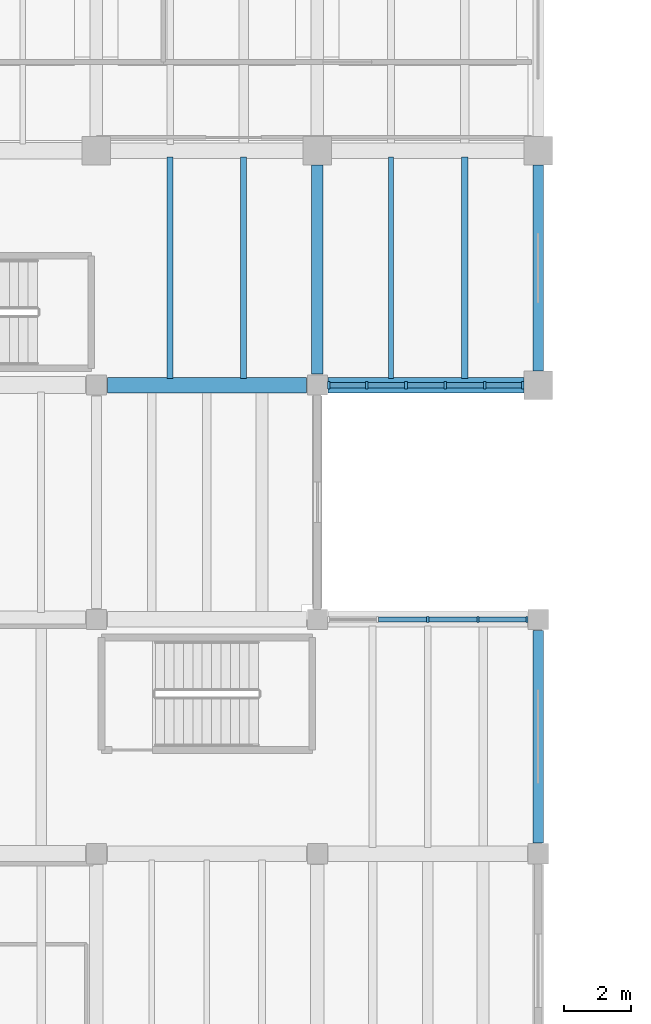
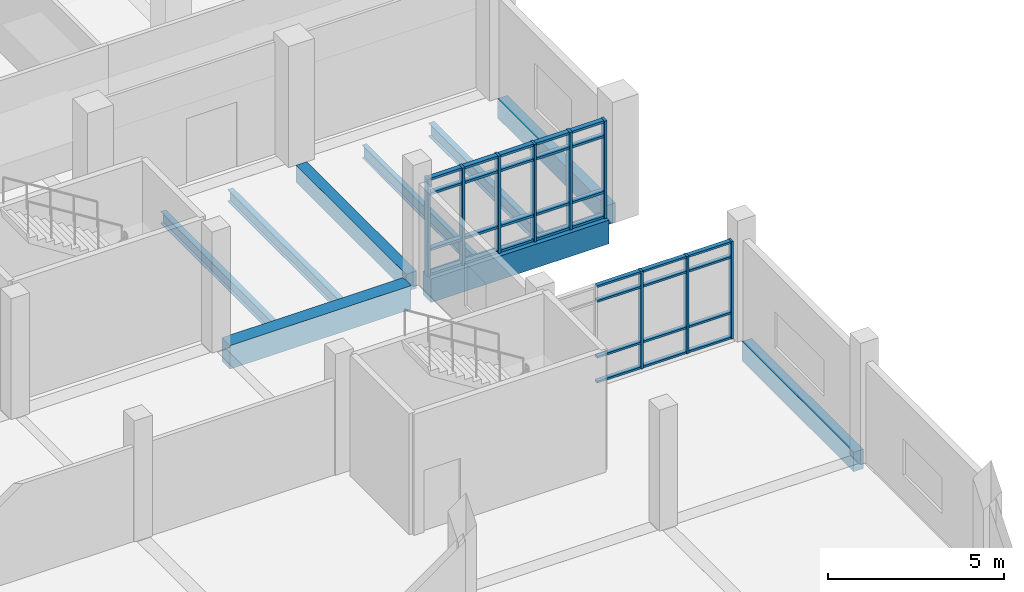
# One storey, part 28 of 68: 41 members, 9 beams, 2 elements without a shape of their own.
"""IFC4 building model written with IfcOpenShell, lengths in metres."""

from ifc_helpers import new_model, si_unit, direction, frame, origin, origin_2d, place, context, subcontext, project, spatial, rectangle, i_section, extrude, material, material_profile, profile_set, type_object, element, aggregate, save


model = new_model("IFC4")

# Units and contexts
model_context = context("Model", 3, precision=1e-05, world=origin(), true_north=direction((0.0, 1.0)))
body_context = subcontext(model_context, "Body", "Model", "MODEL_VIEW")
ifc_project = project(units=[si_unit("LENGTHUNIT", "METRE"), si_unit("AREAUNIT", "SQUARE_METRE"), si_unit("VOLUMEUNIT", "CUBIC_METRE"), si_unit("PLANEANGLEUNIT", "RADIAN"), si_unit("MASSUNIT", "GRAM", prefix="KILO")], contexts=[model_context])

# Site, building, storey
site_placement = place(None, origin())
site = spatial("IfcSite", under=ifc_project, at=site_placement, CompositionType="ELEMENT")
building_placement = place(site_placement, origin())
building = spatial("IfcBuilding", under=site, at=building_placement, Name="Ciguamira Faculty of Natural Sciences", CompositionType="ELEMENT")
storey_placement = place(building_placement, frame((0.0, 0.0, 4.199951171875)))
storey = spatial("IfcBuildingStorey", under=building, at=storey_placement, Name="L01", CompositionType="ELEMENT", Elevation=4.199951171875)

# Curtain wall, members
ifc_material_1 = material(Name="Anodized aluminium curtain wall", Category="aluminium")
curtain_wall_type_1 = type_object("IfcCurtainWallType", Name="CurtainWall_CW-08", PredefinedType="USERDEFINED", material=ifc_material_1)
curtain_wall_1_placement = place(storey_placement, origin())
curtain_wall_1 = element("IfcCurtainWall", 1, at=curtain_wall_1_placement, inside=storey, type_object=curtain_wall_type_1, Name="L01 unitised curtain wall 0044", ObjectType="UNITISED CURTAIN WALL", PredefinedType="USERDEFINED")
ifc_material_2 = material(Name="Anodized aluminium mullion", Category="aluminium")
ifc_material_profile_1 = material_profile(ifc_material_2, rectangle(XDim=0.070068359375, YDim=0.179931640625, at=origin_2d()), Name="ALU-MUL-70X180")
ifc_profile_set_1 = profile_set([ifc_material_profile_1], Name="Anodized aluminium mullion")
member_type_1 = type_object("IfcMemberType", Name="CWMullion_CWM-02", PredefinedType="MULLION", material=ifc_profile_set_1)
member_1_placement = place(storey_placement, frame((113.39990234375, 87.0, 0.0), z_axis=(0.0, 0.0, 1.0), x_axis=(1.0, 0.0, 0.0)))
member_1 = element("IfcMember", 2, at=member_1_placement, type_object=member_type_1, Name="CW-08 mullion 3", PredefinedType="MULLION", context=body_context, shape_type="SweptSolid", body=[
    extrude(rectangle(XDim=0.070068359375, YDim=0.179931640625, at=origin_2d()), origin(), (0.0, 0.0, 1.0), 3.385009765625),
])
member_2_placement = place(storey_placement, frame((114.89990234375, 87.0, 0.0), z_axis=(0.0, 0.0, 1.0), x_axis=(1.0, 0.0, 0.0)))
member_2 = element("IfcMember", 3, at=member_2_placement, type_object=member_type_1, Name="CW-08 mullion 4", PredefinedType="MULLION", context=body_context, shape_type="SweptSolid", body=[
    extrude(rectangle(XDim=0.070068359375, YDim=0.179931640625, at=origin_2d()), origin(), (0.0, 0.0, 1.0), 3.385009765625),
])
member_3_placement = place(storey_placement, frame((116.364990234375, 87.0, 0.0), z_axis=(0.0, 0.0, 1.0), x_axis=(1.0, 0.0, 0.0)))
member_3 = element("IfcMember", 4, at=member_3_placement, type_object=member_type_1, Name="CW-08 mullion 5", PredefinedType="MULLION", context=body_context, shape_type="SweptSolid", body=[
    extrude(rectangle(XDim=0.070068359375, YDim=0.179931640625, at=origin_2d()), origin(), (0.0, 0.0, 1.0), 3.385009765625),
])

curtain_wall_type_2 = type_object("IfcCurtainWallType", Name="CurtainWall_CW-09", PredefinedType="USERDEFINED", material=ifc_material_1)
curtain_wall_2_placement = place(storey_placement, origin())
curtain_wall_2 = element("IfcCurtainWall", 5, at=curtain_wall_2_placement, inside=storey, type_object=curtain_wall_type_2, Name="L01 unitised curtain wall 0045", ObjectType="UNITISED CURTAIN WALL", PredefinedType="USERDEFINED")
ifc_material_profile_2 = material_profile(ifc_material_2, rectangle(XDim=0.080078125, YDim=0.219970703125, at=origin_2d()), Name="ALU-MUL-80X220")
ifc_profile_set_2 = profile_set([ifc_material_profile_2], Name="Anodized aluminium mullion")
member_type_2 = type_object("IfcMemberType", Name="CWMullion_CWM-03", PredefinedType="MULLION", material=ifc_profile_set_2)
member_4_placement = place(storey_placement, frame((110.43994140625, 94.0, 0.0), z_axis=(0.0, 0.0, 1.0), x_axis=(1.0, 0.0, 0.0)))
member_4 = element("IfcMember", 6, at=member_4_placement, type_object=member_type_2, Name="CW-09 mullion 1", PredefinedType="MULLION", context=body_context, shape_type="SweptSolid", body=[
    extrude(rectangle(XDim=0.080078125, YDim=0.219970703125, at=origin_2d()), origin(), (0.0, 0.0, 1.0), 3.385009765625),
])
member_5_placement = place(storey_placement, frame((111.574951171875, 94.0, 0.0), z_axis=(0.0, 0.0, 1.0), x_axis=(1.0, 0.0, 0.0)))
member_5 = element("IfcMember", 7, at=member_5_placement, type_object=member_type_2, Name="CW-09 mullion 2", PredefinedType="MULLION", context=body_context, shape_type="SweptSolid", body=[
    extrude(rectangle(XDim=0.080078125, YDim=0.219970703125, at=origin_2d()), origin(), (0.0, 0.0, 1.0), 3.385009765625),
])
member_6_placement = place(storey_placement, frame((112.75, 94.0, 0.0), z_axis=(0.0, 0.0, 1.0), x_axis=(1.0, 0.0, 0.0)))
member_6 = element("IfcMember", 8, at=member_6_placement, type_object=member_type_2, Name="CW-09 mullion 3", PredefinedType="MULLION", context=body_context, shape_type="SweptSolid", body=[
    extrude(rectangle(XDim=0.080078125, YDim=0.219970703125, at=origin_2d()), origin(), (0.0, 0.0, 1.0), 3.385009765625),
])
member_7_placement = place(storey_placement, frame((113.925048828125, 94.0, 0.0), z_axis=(0.0, 0.0, 1.0), x_axis=(1.0, 0.0, 0.0)))
member_7 = element("IfcMember", 9, at=member_7_placement, type_object=member_type_2, Name="CW-09 mullion 4", PredefinedType="MULLION", context=body_context, shape_type="SweptSolid", body=[
    extrude(rectangle(XDim=0.080078125, YDim=0.219970703125, at=origin_2d()), origin(), (0.0, 0.0, 1.0), 3.385009765625),
])
member_8_placement = place(storey_placement, frame((115.10009765625, 94.0, 0.0), z_axis=(0.0, 0.0, 1.0), x_axis=(1.0, 0.0, 0.0)))
member_8 = element("IfcMember", 10, at=member_8_placement, type_object=member_type_2, Name="CW-09 mullion 5", PredefinedType="MULLION", context=body_context, shape_type="SweptSolid", body=[
    extrude(rectangle(XDim=0.080078125, YDim=0.219970703125, at=origin_2d()), origin(), (0.0, 0.0, 1.0), 3.385009765625),
])
member_9_placement = place(storey_placement, frame((116.235107421875, 94.0, 0.0), z_axis=(0.0, 0.0, 1.0), x_axis=(1.0, 0.0, 0.0)))
member_9 = element("IfcMember", 11, at=member_9_placement, type_object=member_type_2, Name="CW-09 mullion 6", PredefinedType="MULLION", context=body_context, shape_type="SweptSolid", body=[
    extrude(rectangle(XDim=0.080078125, YDim=0.219970703125, at=origin_2d()), origin(), (0.0, 0.0, 1.0), 3.385009765625),
])

# Member
ifc_material_3 = material(Name="Anodized aluminium transom", Category="aluminium")
ifc_material_profile_3 = material_profile(ifc_material_3, rectangle(XDim=0.070068359375, YDim=0.139892578125, at=origin_2d()), Name="ALU-TRN-70X140")
ifc_profile_set_3 = profile_set([ifc_material_profile_3], Name="Anodized aluminium transom")
member_type_3 = type_object("IfcMemberType", Name="CWTransom_CWT-02", PredefinedType="USERDEFINED", material=ifc_profile_set_3)
member_10_placement = place(storey_placement, frame((111.93505859375, 87.0, 0.03515625), z_axis=(1.0, 0.0, 0.0), x_axis=(0.0, 0.0, 1.0)))
member_10 = element("IfcMember", 12, at=member_10_placement, type_object=member_type_3, Name="CW-08 transom 2.1", ObjectType="TRANSOM", PredefinedType="USERDEFINED", context=body_context, shape_type="SweptSolid", body=[
    extrude(rectangle(XDim=0.070068359375, YDim=0.139892578125, at=origin_2d()), origin(), (0.0, 0.0, 1.0), 1.429931640625),
])

member_11_placement = place(storey_placement, frame((111.93505859375, 87.0, 0.900146484375), z_axis=(1.0, 0.0, 0.0), x_axis=(0.0, 0.0, 1.0)))
member_11 = element("IfcMember", 13, at=member_11_placement, type_object=member_type_3, Name="CW-08 transom 2.2", ObjectType="TRANSOM", PredefinedType="USERDEFINED", context=body_context, shape_type="SweptSolid", body=[
    extrude(rectangle(XDim=0.070068359375, YDim=0.139892578125, at=origin_2d()), origin(), (0.0, 0.0, 1.0), 1.429931640625),
])

member_12_placement = place(storey_placement, frame((111.93505859375, 87.0, 2.8349609375), z_axis=(1.0, 0.0, 0.0), x_axis=(0.0, 0.0, 1.0)))
member_12 = element("IfcMember", 14, at=member_12_placement, type_object=member_type_3, Name="CW-08 transom 2.3", ObjectType="TRANSOM", PredefinedType="USERDEFINED", context=body_context, shape_type="SweptSolid", body=[
    extrude(rectangle(XDim=0.070068359375, YDim=0.139892578125, at=origin_2d()), origin(), (0.0, 0.0, 1.0), 1.429931640625),
])

member_13_placement = place(storey_placement, frame((111.93505859375, 87.0, 3.35009765625), z_axis=(1.0, 0.0, 0.0), x_axis=(0.0, 0.0, 1.0)))
member_13 = element("IfcMember", 15, at=member_13_placement, type_object=member_type_3, Name="CW-08 transom 2.4", ObjectType="TRANSOM", PredefinedType="USERDEFINED", context=body_context, shape_type="SweptSolid", body=[
    extrude(rectangle(XDim=0.070068359375, YDim=0.139892578125, at=origin_2d()), origin(), (0.0, 0.0, 1.0), 1.429931640625),
])

member_14_placement = place(storey_placement, frame((113.43505859375, 87.0, 0.03515625), z_axis=(1.0, 0.0, 0.0), x_axis=(0.0, 0.0, 1.0)))
member_14 = element("IfcMember", 16, at=member_14_placement, type_object=member_type_3, Name="CW-08 transom 3.1", ObjectType="TRANSOM", PredefinedType="USERDEFINED", context=body_context, shape_type="SweptSolid", body=[
    extrude(rectangle(XDim=0.070068359375, YDim=0.139892578125, at=origin_2d()), origin(), (0.0, 0.0, 1.0), 1.429931640625),
])

member_15_placement = place(storey_placement, frame((113.43505859375, 87.0, 0.900146484375), z_axis=(1.0, 0.0, 0.0), x_axis=(0.0, 0.0, 1.0)))
member_15 = element("IfcMember", 17, at=member_15_placement, type_object=member_type_3, Name="CW-08 transom 3.2", ObjectType="TRANSOM", PredefinedType="USERDEFINED", context=body_context, shape_type="SweptSolid", body=[
    extrude(rectangle(XDim=0.070068359375, YDim=0.139892578125, at=origin_2d()), origin(), (0.0, 0.0, 1.0), 1.429931640625),
])

member_16_placement = place(storey_placement, frame((113.43505859375, 87.0, 2.8349609375), z_axis=(1.0, 0.0, 0.0), x_axis=(0.0, 0.0, 1.0)))
member_16 = element("IfcMember", 18, at=member_16_placement, type_object=member_type_3, Name="CW-08 transom 3.3", ObjectType="TRANSOM", PredefinedType="USERDEFINED", context=body_context, shape_type="SweptSolid", body=[
    extrude(rectangle(XDim=0.070068359375, YDim=0.139892578125, at=origin_2d()), origin(), (0.0, 0.0, 1.0), 1.429931640625),
])

member_17_placement = place(storey_placement, frame((113.43505859375, 87.0, 3.35009765625), z_axis=(1.0, 0.0, 0.0), x_axis=(0.0, 0.0, 1.0)))
member_17 = element("IfcMember", 19, at=member_17_placement, type_object=member_type_3, Name="CW-08 transom 3.4", ObjectType="TRANSOM", PredefinedType="USERDEFINED", context=body_context, shape_type="SweptSolid", body=[
    extrude(rectangle(XDim=0.070068359375, YDim=0.139892578125, at=origin_2d()), origin(), (0.0, 0.0, 1.0), 1.429931640625),
])

member_18_placement = place(storey_placement, frame((114.93505859375, 87.0, 0.03515625), z_axis=(1.0, 0.0, 0.0), x_axis=(0.0, 0.0, 1.0)))
member_18 = element("IfcMember", 20, at=member_18_placement, type_object=member_type_3, Name="CW-08 transom 4.1", ObjectType="TRANSOM", PredefinedType="USERDEFINED", context=body_context, shape_type="SweptSolid", body=[
    extrude(rectangle(XDim=0.070068359375, YDim=0.139892578125, at=origin_2d()), origin(), (0.0, 0.0, 1.0), 1.39501953125),
])

member_19_placement = place(storey_placement, frame((114.93505859375, 87.0, 0.900146484375), z_axis=(1.0, 0.0, 0.0), x_axis=(0.0, 0.0, 1.0)))
member_19 = element("IfcMember", 21, at=member_19_placement, type_object=member_type_3, Name="CW-08 transom 4.2", ObjectType="TRANSOM", PredefinedType="USERDEFINED", context=body_context, shape_type="SweptSolid", body=[
    extrude(rectangle(XDim=0.070068359375, YDim=0.139892578125, at=origin_2d()), origin(), (0.0, 0.0, 1.0), 1.39501953125),
])

member_20_placement = place(storey_placement, frame((114.93505859375, 87.0, 2.8349609375), z_axis=(1.0, 0.0, 0.0), x_axis=(0.0, 0.0, 1.0)))
member_20 = element("IfcMember", 22, at=member_20_placement, type_object=member_type_3, Name="CW-08 transom 4.3", ObjectType="TRANSOM", PredefinedType="USERDEFINED", context=body_context, shape_type="SweptSolid", body=[
    extrude(rectangle(XDim=0.070068359375, YDim=0.139892578125, at=origin_2d()), origin(), (0.0, 0.0, 1.0), 1.39501953125),
])

member_21_placement = place(storey_placement, frame((114.93505859375, 87.0, 3.35009765625), z_axis=(1.0, 0.0, 0.0), x_axis=(0.0, 0.0, 1.0)))
member_21 = element("IfcMember", 23, at=member_21_placement, type_object=member_type_3, Name="CW-08 transom 4.4", ObjectType="TRANSOM", PredefinedType="USERDEFINED", context=body_context, shape_type="SweptSolid", body=[
    extrude(rectangle(XDim=0.070068359375, YDim=0.139892578125, at=origin_2d()), origin(), (0.0, 0.0, 1.0), 1.39501953125),
])

aggregate(curtain_wall_1, [member_1, member_2, member_3, member_10, member_11, member_12, member_13, member_14, member_15, member_16, member_17, member_18, member_19, member_20, member_21])

ifc_material_profile_4 = material_profile(ifc_material_3, rectangle(XDim=0.080078125, YDim=0.159912109375, at=origin_2d()), Name="ALU-TRN-80X160")
ifc_profile_set_4 = profile_set([ifc_material_profile_4], Name="Anodized aluminium transom")
member_type_4 = type_object("IfcMemberType", Name="CWTransom_CWT-03", PredefinedType="USERDEFINED", material=ifc_profile_set_4)
member_22_placement = place(storey_placement, frame((110.47998046875, 94.0, 0.0400390625), z_axis=(1.0, 0.0, 0.0), x_axis=(0.0, 0.0, 1.0)))
member_22 = element("IfcMember", 24, at=member_22_placement, type_object=member_type_4, Name="CW-09 transom 1.1", ObjectType="TRANSOM", PredefinedType="USERDEFINED", context=body_context, shape_type="SweptSolid", body=[
    extrude(rectangle(XDim=0.080078125, YDim=0.159912109375, at=origin_2d()), origin(), (0.0, 0.0, 1.0), 1.054931640625),
])

member_23_placement = place(storey_placement, frame((110.47998046875, 94.0, 0.900146484375), z_axis=(1.0, 0.0, 0.0), x_axis=(0.0, 0.0, 1.0)))
member_23 = element("IfcMember", 25, at=member_23_placement, type_object=member_type_4, Name="CW-09 transom 1.2", ObjectType="TRANSOM", PredefinedType="USERDEFINED", context=body_context, shape_type="SweptSolid", body=[
    extrude(rectangle(XDim=0.080078125, YDim=0.159912109375, at=origin_2d()), origin(), (0.0, 0.0, 1.0), 1.054931640625),
])

member_24_placement = place(storey_placement, frame((110.47998046875, 94.0, 2.8349609375), z_axis=(1.0, 0.0, 0.0), x_axis=(0.0, 0.0, 1.0)))
member_24 = element("IfcMember", 26, at=member_24_placement, type_object=member_type_4, Name="CW-09 transom 1.3", ObjectType="TRANSOM", PredefinedType="USERDEFINED", context=body_context, shape_type="SweptSolid", body=[
    extrude(rectangle(XDim=0.080078125, YDim=0.159912109375, at=origin_2d()), origin(), (0.0, 0.0, 1.0), 1.054931640625),
])

member_25_placement = place(storey_placement, frame((110.47998046875, 94.0, 3.344970703125), z_axis=(1.0, 0.0, 0.0), x_axis=(0.0, 0.0, 1.0)))
member_25 = element("IfcMember", 27, at=member_25_placement, type_object=member_type_4, Name="CW-09 transom 1.4", ObjectType="TRANSOM", PredefinedType="USERDEFINED", context=body_context, shape_type="SweptSolid", body=[
    extrude(rectangle(XDim=0.080078125, YDim=0.159912109375, at=origin_2d()), origin(), (0.0, 0.0, 1.0), 1.054931640625),
])

member_26_placement = place(storey_placement, frame((111.614990234375, 94.0, 0.0400390625), z_axis=(1.0, 0.0, 0.0), x_axis=(0.0, 0.0, 1.0)))
member_26 = element("IfcMember", 28, at=member_26_placement, type_object=member_type_4, Name="CW-09 transom 2.1", ObjectType="TRANSOM", PredefinedType="USERDEFINED", context=body_context, shape_type="SweptSolid", body=[
    extrude(rectangle(XDim=0.080078125, YDim=0.159912109375, at=origin_2d()), origin(), (0.0, 0.0, 1.0), 1.094970703125),
])

member_27_placement = place(storey_placement, frame((111.614990234375, 94.0, 0.900146484375), z_axis=(1.0, 0.0, 0.0), x_axis=(0.0, 0.0, 1.0)))
member_27 = element("IfcMember", 29, at=member_27_placement, type_object=member_type_4, Name="CW-09 transom 2.2", ObjectType="TRANSOM", PredefinedType="USERDEFINED", context=body_context, shape_type="SweptSolid", body=[
    extrude(rectangle(XDim=0.080078125, YDim=0.159912109375, at=origin_2d()), origin(), (0.0, 0.0, 1.0), 1.094970703125),
])

member_28_placement = place(storey_placement, frame((111.614990234375, 94.0, 2.8349609375), z_axis=(1.0, 0.0, 0.0), x_axis=(0.0, 0.0, 1.0)))
member_28 = element("IfcMember", 30, at=member_28_placement, type_object=member_type_4, Name="CW-09 transom 2.3", ObjectType="TRANSOM", PredefinedType="USERDEFINED", context=body_context, shape_type="SweptSolid", body=[
    extrude(rectangle(XDim=0.080078125, YDim=0.159912109375, at=origin_2d()), origin(), (0.0, 0.0, 1.0), 1.094970703125),
])

member_29_placement = place(storey_placement, frame((111.614990234375, 94.0, 3.344970703125), z_axis=(1.0, 0.0, 0.0), x_axis=(0.0, 0.0, 1.0)))
member_29 = element("IfcMember", 31, at=member_29_placement, type_object=member_type_4, Name="CW-09 transom 2.4", ObjectType="TRANSOM", PredefinedType="USERDEFINED", context=body_context, shape_type="SweptSolid", body=[
    extrude(rectangle(XDim=0.080078125, YDim=0.159912109375, at=origin_2d()), origin(), (0.0, 0.0, 1.0), 1.094970703125),
])

member_30_placement = place(storey_placement, frame((112.7900390625, 94.0, 0.0400390625), z_axis=(1.0, 0.0, 0.0), x_axis=(0.0, 0.0, 1.0)))
member_30 = element("IfcMember", 32, at=member_30_placement, type_object=member_type_4, Name="CW-09 transom 3.1", ObjectType="TRANSOM", PredefinedType="USERDEFINED", context=body_context, shape_type="SweptSolid", body=[
    extrude(rectangle(XDim=0.080078125, YDim=0.159912109375, at=origin_2d()), origin(), (0.0, 0.0, 1.0), 1.094970703125),
])

member_31_placement = place(storey_placement, frame((112.7900390625, 94.0, 0.900146484375), z_axis=(1.0, 0.0, 0.0), x_axis=(0.0, 0.0, 1.0)))
member_31 = element("IfcMember", 33, at=member_31_placement, type_object=member_type_4, Name="CW-09 transom 3.2", ObjectType="TRANSOM", PredefinedType="USERDEFINED", context=body_context, shape_type="SweptSolid", body=[
    extrude(rectangle(XDim=0.080078125, YDim=0.159912109375, at=origin_2d()), origin(), (0.0, 0.0, 1.0), 1.094970703125),
])

member_32_placement = place(storey_placement, frame((112.7900390625, 94.0, 2.8349609375), z_axis=(1.0, 0.0, 0.0), x_axis=(0.0, 0.0, 1.0)))
member_32 = element("IfcMember", 34, at=member_32_placement, type_object=member_type_4, Name="CW-09 transom 3.3", ObjectType="TRANSOM", PredefinedType="USERDEFINED", context=body_context, shape_type="SweptSolid", body=[
    extrude(rectangle(XDim=0.080078125, YDim=0.159912109375, at=origin_2d()), origin(), (0.0, 0.0, 1.0), 1.094970703125),
])

member_33_placement = place(storey_placement, frame((112.7900390625, 94.0, 3.344970703125), z_axis=(1.0, 0.0, 0.0), x_axis=(0.0, 0.0, 1.0)))
member_33 = element("IfcMember", 35, at=member_33_placement, type_object=member_type_4, Name="CW-09 transom 3.4", ObjectType="TRANSOM", PredefinedType="USERDEFINED", context=body_context, shape_type="SweptSolid", body=[
    extrude(rectangle(XDim=0.080078125, YDim=0.159912109375, at=origin_2d()), origin(), (0.0, 0.0, 1.0), 1.094970703125),
])

member_34_placement = place(storey_placement, frame((113.965087890625, 94.0, 0.0400390625), z_axis=(1.0, 0.0, 0.0), x_axis=(0.0, 0.0, 1.0)))
member_34 = element("IfcMember", 36, at=member_34_placement, type_object=member_type_4, Name="CW-09 transom 4.1", ObjectType="TRANSOM", PredefinedType="USERDEFINED", context=body_context, shape_type="SweptSolid", body=[
    extrude(rectangle(XDim=0.080078125, YDim=0.159912109375, at=origin_2d()), origin(), (0.0, 0.0, 1.0), 1.094970703125),
])

member_35_placement = place(storey_placement, frame((113.965087890625, 94.0, 0.900146484375), z_axis=(1.0, 0.0, 0.0), x_axis=(0.0, 0.0, 1.0)))
member_35 = element("IfcMember", 37, at=member_35_placement, type_object=member_type_4, Name="CW-09 transom 4.2", ObjectType="TRANSOM", PredefinedType="USERDEFINED", context=body_context, shape_type="SweptSolid", body=[
    extrude(rectangle(XDim=0.080078125, YDim=0.159912109375, at=origin_2d()), origin(), (0.0, 0.0, 1.0), 1.094970703125),
])

member_36_placement = place(storey_placement, frame((113.965087890625, 94.0, 2.8349609375), z_axis=(1.0, 0.0, 0.0), x_axis=(0.0, 0.0, 1.0)))
member_36 = element("IfcMember", 38, at=member_36_placement, type_object=member_type_4, Name="CW-09 transom 4.3", ObjectType="TRANSOM", PredefinedType="USERDEFINED", context=body_context, shape_type="SweptSolid", body=[
    extrude(rectangle(XDim=0.080078125, YDim=0.159912109375, at=origin_2d()), origin(), (0.0, 0.0, 1.0), 1.094970703125),
])

member_37_placement = place(storey_placement, frame((113.965087890625, 94.0, 3.344970703125), z_axis=(1.0, 0.0, 0.0), x_axis=(0.0, 0.0, 1.0)))
member_37 = element("IfcMember", 39, at=member_37_placement, type_object=member_type_4, Name="CW-09 transom 4.4", ObjectType="TRANSOM", PredefinedType="USERDEFINED", context=body_context, shape_type="SweptSolid", body=[
    extrude(rectangle(XDim=0.080078125, YDim=0.159912109375, at=origin_2d()), origin(), (0.0, 0.0, 1.0), 1.094970703125),
])

member_38_placement = place(storey_placement, frame((115.139892578125, 94.0, 0.0400390625), z_axis=(1.0, 0.0, 0.0), x_axis=(0.0, 0.0, 1.0)))
member_38 = element("IfcMember", 40, at=member_38_placement, type_object=member_type_4, Name="CW-09 transom 5.1", ObjectType="TRANSOM", PredefinedType="USERDEFINED", context=body_context, shape_type="SweptSolid", body=[
    extrude(rectangle(XDim=0.080078125, YDim=0.159912109375, at=origin_2d()), origin(), (0.0, 0.0, 1.0), 1.05517578125),
])

member_39_placement = place(storey_placement, frame((115.139892578125, 94.0, 0.900146484375), z_axis=(1.0, 0.0, 0.0), x_axis=(0.0, 0.0, 1.0)))
member_39 = element("IfcMember", 41, at=member_39_placement, type_object=member_type_4, Name="CW-09 transom 5.2", ObjectType="TRANSOM", PredefinedType="USERDEFINED", context=body_context, shape_type="SweptSolid", body=[
    extrude(rectangle(XDim=0.080078125, YDim=0.159912109375, at=origin_2d()), origin(), (0.0, 0.0, 1.0), 1.05517578125),
])

member_40_placement = place(storey_placement, frame((115.139892578125, 94.0, 2.8349609375), z_axis=(1.0, 0.0, 0.0), x_axis=(0.0, 0.0, 1.0)))
member_40 = element("IfcMember", 42, at=member_40_placement, type_object=member_type_4, Name="CW-09 transom 5.3", ObjectType="TRANSOM", PredefinedType="USERDEFINED", context=body_context, shape_type="SweptSolid", body=[
    extrude(rectangle(XDim=0.080078125, YDim=0.159912109375, at=origin_2d()), origin(), (0.0, 0.0, 1.0), 1.05517578125),
])

member_41_placement = place(storey_placement, frame((115.139892578125, 94.0, 3.344970703125), z_axis=(1.0, 0.0, 0.0), x_axis=(0.0, 0.0, 1.0)))
member_41 = element("IfcMember", 43, at=member_41_placement, type_object=member_type_4, Name="CW-09 transom 5.4", ObjectType="TRANSOM", PredefinedType="USERDEFINED", context=body_context, shape_type="SweptSolid", body=[
    extrude(rectangle(XDim=0.080078125, YDim=0.159912109375, at=origin_2d()), origin(), (0.0, 0.0, 1.0), 1.05517578125),
])

aggregate(curtain_wall_2, [member_4, member_5, member_6, member_7, member_8, member_9, member_22, member_23, member_24, member_25, member_26, member_27, member_28, member_29, member_30, member_31, member_32, member_33, member_34, member_35, member_36, member_37, member_38, member_39, member_40, member_41])

# Beams
ifc_material_4 = material(Name="Concrete C40/50", Category="concrete")
ifc_material_profile_5 = material_profile(ifc_material_4, rectangle(XDim=0.4599609375, YDim=0.820068359375, at=origin_2d()), Name="RC-BM-460X820")
ifc_profile_set_5 = profile_set([ifc_material_profile_5], Name="Concrete C40/50")
beam_type_1 = type_object("IfcBeamType", Name="RCBeam_BG-04_RC-BM-460X820", PredefinedType="BEAM", material=ifc_profile_set_5)
beam_1_placement = place(storey_placement, frame((103.824951171875, 94.0, -0.409912109375), z_axis=(1.0, 0.0, 0.0), x_axis=(0.0, 1.0, 0.0)))
element("IfcBeam", 44, at=beam_1_placement, inside=storey, type_object=beam_type_1, Name="L01 RC girder EW-0520", PredefinedType="BEAM", context=body_context, shape_type="SweptSolid", body=[
    extrude(rectangle(XDim=0.4599609375, YDim=0.820068359375, at=origin_2d()), origin(), (0.0, 0.0, 1.0), 5.949951171875),
])
beam_2_placement = place(storey_placement, frame((110.425048828125, 94.0, -0.409912109375), z_axis=(1.0, 0.0, 0.0), x_axis=(0.0, 1.0, 0.0)))
element("IfcBeam", 45, at=beam_2_placement, inside=storey, type_object=beam_type_1, Name="L01 RC girder EW-0521", PredefinedType="BEAM", context=body_context, shape_type="SweptSolid", body=[
    extrude(rectangle(XDim=0.4599609375, YDim=0.820068359375, at=origin_2d()), origin(), (0.0, 0.0, 1.0), 5.849853515625),
])
ifc_material_profile_6 = material_profile(ifc_material_4, rectangle(XDim=0.35009765625, YDim=0.60009765625, at=origin_2d()), Name="RC-BM-350X600")
ifc_profile_set_6 = profile_set([ifc_material_profile_6], Name="Concrete C40/50")
beam_type_2 = type_object("IfcBeamType", Name="RCBeam_BG-11_RC-BM-350X600", PredefinedType="BEAM", material=ifc_profile_set_6)
beam_3_placement = place(storey_placement, frame((110.10009765625, 94.324951171875, -0.300048828125), z_axis=(0.0, 1.0, 0.0), x_axis=(-1.0, 0.0, 0.0)))
element("IfcBeam", 46, at=beam_3_placement, inside=storey, type_object=beam_type_2, Name="L01 girder NS-0674", PredefinedType="BEAM", context=body_context, shape_type="SweptSolid", body=[
    extrude(rectangle(XDim=0.35009765625, YDim=0.60009765625, at=origin_2d()), origin(), (0.0, 0.0, 1.0), 6.25),
])
ifc_material_5 = material(Name="Precast concrete C40/50", Category="concrete")
ifc_material_profile_7 = material_profile(ifc_material_5, rectangle(XDim=0.320068359375, YDim=0.679931640625, at=origin_2d()), Name="RC-SP-320X680")
ifc_profile_set_7 = profile_set([ifc_material_profile_7], Name="Precast concrete C40/50")
beam_type_3 = type_object("IfcBeamType", Name="RCBeam_SP-02_RC-SP-320X680", PredefinedType="SPANDREL", material=ifc_profile_set_7)
beam_4_placement = place(storey_placement, frame((116.699951171875, 80.324951171875, -0.33984375), z_axis=(0.0, 1.0, 0.0), x_axis=(-1.0, 0.0, 0.0)))
element("IfcBeam", 47, at=beam_4_placement, inside=storey, type_object=beam_type_3, Name="L01 girder NS-0685", PredefinedType="SPANDREL", context=body_context, shape_type="SweptSolid", body=[
    extrude(rectangle(XDim=0.320068359375, YDim=0.679931640625, at=origin_2d()), origin(), (0.0, 0.0, 1.0), 6.35009765625),
])
beam_5_placement = place(storey_placement, frame((116.699951171875, 94.425048828125, -0.33984375), z_axis=(0.0, 1.0, 0.0), x_axis=(-1.0, 0.0, 0.0)))
element("IfcBeam", 48, at=beam_5_placement, inside=storey, type_object=beam_type_3, Name="L01 girder NS-0686", PredefinedType="SPANDREL", context=body_context, shape_type="SweptSolid", body=[
    extrude(rectangle(XDim=0.320068359375, YDim=0.679931640625, at=origin_2d()), origin(), (0.0, 0.0, 1.0), 6.14990234375),
])
ifc_material_6 = material(Name="Steel ASTM A992 Grade 50", Category="steel")
ifc_material_profile_8 = material_profile(ifc_material_6, i_section(OverallWidth=0.1787109375, OverallDepth=0.408935546875, WebThickness=0.0087890625, FlangeThickness=0.014404296875, at=origin_2d()), Name="W16X45")
ifc_profile_set_8 = profile_set([ifc_material_profile_8], Name="Steel ASTM A992 Grade 50")
beam_type_4 = type_object("IfcBeamType", Name="SteelJoist_SJ-19_W16X45", PredefinedType="JOIST", material=ifc_profile_set_8)
beam_6_placement = place(storey_placement, frame((105.699951171875, 94.18994140625, -0.4443359375), z_axis=(0.0, 1.0, 0.0), x_axis=(-1.0, 0.0, 0.0)))
element("IfcBeam", 49, at=beam_6_placement, inside=storey, type_object=beam_type_4, Name="L01 composite steel joist 00591", PredefinedType="JOIST", context=body_context, shape_type="SweptSolid", body=[
    extrude(i_section(OverallWidth=0.1787109375, OverallDepth=0.408935546875, WebThickness=0.0087890625, FlangeThickness=0.014404296875, at=origin_2d()), origin(), (0.0, 0.0, 1.0), 6.6201171875),
])
ifc_material_profile_9 = material_profile(ifc_material_6, i_section(OverallWidth=0.180908203125, OverallDepth=0.41650390625, WebThickness=0.010986328125, FlangeThickness=0.01806640625, at=origin_2d()), Name="W16X57")
ifc_profile_set_9 = profile_set([ifc_material_profile_9], Name="Steel ASTM A992 Grade 50")
beam_type_5 = type_object("IfcBeamType", Name="SteelJoist_SJ-20_W16X57", PredefinedType="JOIST", material=ifc_profile_set_9)
beam_7_placement = place(storey_placement, frame((107.89990234375, 94.18994140625, -0.4482421875), z_axis=(0.0, 1.0, 0.0), x_axis=(-1.0, 0.0, 0.0)))
element("IfcBeam", 50, at=beam_7_placement, inside=storey, type_object=beam_type_5, Name="L01 composite steel joist 00592", PredefinedType="JOIST", context=body_context, shape_type="SweptSolid", body=[
    extrude(i_section(OverallWidth=0.180908203125, OverallDepth=0.41650390625, WebThickness=0.010986328125, FlangeThickness=0.01806640625, at=origin_2d()), origin(), (0.0, 0.0, 1.0), 6.6201171875),
])
ifc_material_profile_10 = material_profile(ifc_material_6, i_section(OverallWidth=0.15283203125, OverallDepth=0.45458984375, WebThickness=0.008056640625, FlangeThickness=0.013427734375, at=origin_2d()), Name="W18X40")
ifc_profile_set_10 = profile_set([ifc_material_profile_10], Name="Steel ASTM A992 Grade 50")
beam_type_6 = type_object("IfcBeamType", Name="SteelJoist_SJ-22_W18X40", PredefinedType="JOIST", material=ifc_profile_set_10)
beam_8_placement = place(storey_placement, frame((112.300048828125, 94.18994140625, -0.46728515625), z_axis=(0.0, 1.0, 0.0), x_axis=(-1.0, 0.0, 0.0)))
element("IfcBeam", 51, at=beam_8_placement, inside=storey, type_object=beam_type_6, Name="L01 composite steel joist 00621", PredefinedType="JOIST", context=body_context, shape_type="SweptSolid", body=[
    extrude(i_section(OverallWidth=0.15283203125, OverallDepth=0.45458984375, WebThickness=0.008056640625, FlangeThickness=0.013427734375, at=origin_2d()), origin(), (0.0, 0.0, 1.0), 6.6201171875),
])
ifc_material_profile_11 = material_profile(ifc_material_6, i_section(OverallWidth=0.1904296875, OverallDepth=0.457275390625, WebThickness=0.009033203125, FlangeThickness=0.014404296875, at=origin_2d()), Name="W18X50")
ifc_profile_set_11 = profile_set([ifc_material_profile_11], Name="Steel ASTM A992 Grade 50")
beam_type_7 = type_object("IfcBeamType", Name="SteelJoist_SJ-23_W18X50", PredefinedType="JOIST", material=ifc_profile_set_11)
beam_9_placement = place(storey_placement, frame((114.5, 94.18994140625, -0.468505859375), z_axis=(0.0, 1.0, 0.0), x_axis=(-1.0, 0.0, 0.0)))
element("IfcBeam", 52, at=beam_9_placement, inside=storey, type_object=beam_type_7, Name="L01 composite steel joist 00622", PredefinedType="JOIST", context=body_context, shape_type="SweptSolid", body=[
    extrude(i_section(OverallWidth=0.1904296875, OverallDepth=0.457275390625, WebThickness=0.009033203125, FlangeThickness=0.014404296875, at=origin_2d()), origin(), (0.0, 0.0, 1.0), 6.6201171875),
])

save(model, "model.ifc")
